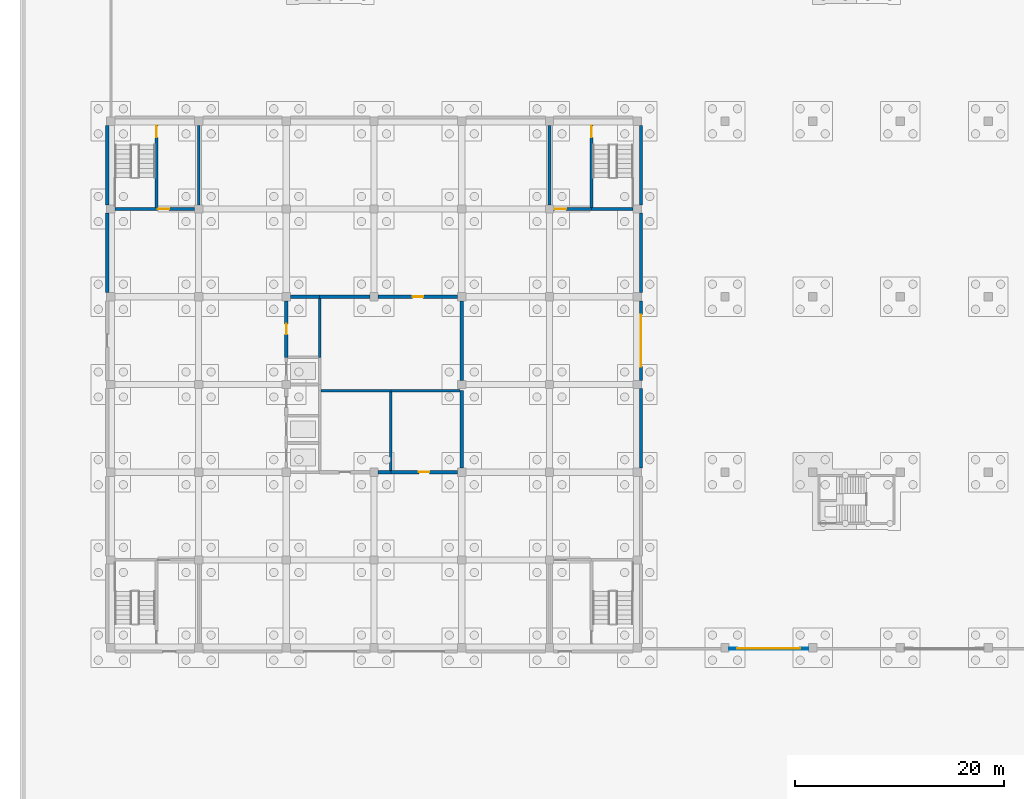
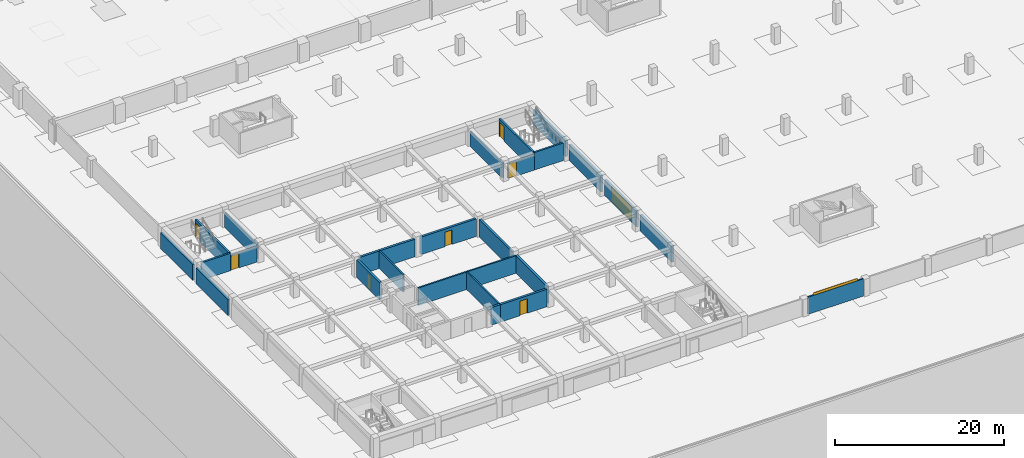
# One storey, part 35 of 67: 27 walls, 9 doors, 9 openings.
"""IFC4 building model written with IfcOpenShell, lengths in metres."""

from ifc_helpers import new_model, si_unit, direction, frame, frame_2d, origin, place, context, subcontext, project, spatial, rectangle, extrude, material, layer, layer_set, type_object, element, fill, save


model = new_model("IFC4")

# Units and contexts
model_context = context("Model", 3, precision=1e-05, world=origin(), true_north=direction((0.0, 1.0)))
body_context = subcontext(model_context, "Body", "Model", "MODEL_VIEW")
ifc_project = project(units=[si_unit("LENGTHUNIT", "METRE"), si_unit("AREAUNIT", "SQUARE_METRE"), si_unit("VOLUMEUNIT", "CUBIC_METRE"), si_unit("PLANEANGLEUNIT", "RADIAN"), si_unit("MASSUNIT", "GRAM", prefix="KILO")], contexts=[model_context])

# Site, building, storey
site_placement = place(None, origin())
site = spatial("IfcSite", under=ifc_project, at=site_placement, CompositionType="ELEMENT")
building_placement = place(site_placement, origin())
building = spatial("IfcBuilding", under=site, at=building_placement, Name="Rain Tree Exposition and Congress Centre", CompositionType="ELEMENT")
storey_placement = place(building_placement, frame((0.0, 0.0, -3.0)))
storey = spatial("IfcBuildingStorey", under=building, at=storey_placement, Name="B1", CompositionType="ELEMENT", Elevation=-3.0)

# Wall, opening, door
ifc_material_1 = material(Name="Precast concrete C40/50", Category="concrete")
ifc_layer_1 = layer(ifc_material_1, 0.199951171875)
ifc_layer_set_1 = layer_set([ifc_layer_1], Name="Precast concrete C40/50")
wall_type_1 = type_object("IfcWallType", Name="Louvred precast panel 200", PredefinedType="SOLIDWALL", material=ifc_layer_set_1)
wall_1_placement = place(storey_placement, frame((59.199951171875, -0.10009765625, 0.0), z_axis=(0.0, 0.0, 1.0), x_axis=(1.0, 0.0, 0.0)))
wall_1 = element("IfcWall", 1, at=wall_1_placement, inside=storey, type_object=wall_type_1, Name="Car park louvre panel 2", PredefinedType="SOLIDWALL", context=body_context, shape_type="SweptSolid", body=[
    extrude(rectangle(XDim=7.60009765625, YDim=0.199951171875, at=frame_2d((3.800048828125, 0.0))), origin(), (0.0, 0.0, 1.0), 2.5),
])
opening_1_placement = place(wall_1_placement, frame((0.800048828125, 0.0, 0.0)))
opening_1 = element("IfcOpeningElement", 2, at=opening_1_placement, cuts=wall_1, Name="Opening DS106", PredefinedType="OPENING", context=body_context, shape_type="SweptSolid", body=[
    extrude(rectangle(XDim=6.0, YDim=2.800048828125, at=frame_2d((3.0, 1.39990234375))), frame((0.0, 0.10009765625, 0.0), z_axis=(0.0, -1.0, 0.0), x_axis=(1.0, 0.0, 0.0)), (0.0, 0.0, 1.0), 0.199951171875),
])
ifc_material_2 = material(Name="Powder-coated steel", Category="steel")
door_type_1 = type_object("IfcDoorType", Name="Vehicle roller gate 6000x2800", OperationType="SLIDING_TO_LEFT", PredefinedType="GATE", material=ifc_material_2)
door_1_placement = place(opening_1_placement, origin())
door_1 = element("IfcDoor", 3, at=door_1_placement, inside=storey, type_object=door_type_1, Name="Vehicle gate 2", OperationType="SLIDING_TO_LEFT", OverallHeight=2.800048828125, OverallWidth=6.0, PredefinedType="GATE", context=body_context, shape_type="SweptSolid", body=[
    extrude(rectangle(XDim=6.0, YDim=2.800048828125, at=frame_2d((3.0, 1.39990234375))), frame((0.0, 0.02490234375, 0.0), z_axis=(0.0, -1.0, 0.0), x_axis=(1.0, 0.0, 0.0)), (0.0, 0.0, 1.0), 0.050048828125),
])
fill(opening_1, door_1)

# Wall
ifc_material_3 = material(Name="Concrete C40/50", Category="concrete")
ifc_layer_2 = layer(ifc_material_3, 0.300048828125)
ifc_layer_set_2 = layer_set([ifc_layer_2], Name="Concrete C40/50")
wall_type_2 = type_object("IfcWallType", Name="Wing core wall 300", PredefinedType="SHEAR", material=ifc_layer_set_2)
wall_2_placement = place(storey_placement, frame((25.60009765625, 16.800048828125, 0.0), z_axis=(0.0, 0.0, 1.0), x_axis=(1.0, 0.0, 0.0)))
element("IfcWall", 4, at=wall_2_placement, inside=storey, type_object=wall_type_2, Name="wing/wall/B1/007", PredefinedType="SHEAR", context=body_context, shape_type="SweptSolid", body=[
    extrude(rectangle(XDim=1.199951171875, YDim=0.300048828125, at=frame_2d((0.60009765625, 0.0))), origin(), (0.0, 0.0, 1.0), 2.5400390625),
])

# Wall, opening, door
wall_3_placement = place(storey_placement, frame((26.800048828125, 16.800048828125, 0.0), z_axis=(0.0, 0.0, 1.0), x_axis=(1.0, 0.0, 0.0)))
wall_3 = element("IfcWall", 5, at=wall_3_placement, inside=storey, type_object=wall_type_2, Name="wing/wall/B1/008", PredefinedType="SHEAR", context=body_context, shape_type="SweptSolid", body=[
    extrude(rectangle(XDim=6.39990234375, YDim=0.300048828125, at=frame_2d((3.199951171875, 0.0))), origin(), (0.0, 0.0, 1.0), 2.5400390625),
])
opening_2_placement = place(wall_3_placement, frame((2.699951171875, 0.0, 0.0)))
opening_2 = element("IfcOpeningElement", 6, at=opening_2_placement, cuts=wall_3, Name="Opening DW015", PredefinedType="OPENING", context=body_context, shape_type="SweptSolid", body=[
    extrude(rectangle(XDim=1.0, YDim=2.10009765625, at=frame_2d((0.5, 1.050048828125))), frame((0.0, 0.14990234375, 0.0), z_axis=(0.0, -1.0, 0.0), x_axis=(1.0, 0.0, 0.0)), (0.0, 0.0, 1.0), 0.300048828125),
])
ifc_material_4 = material(Name="Timber door leaf", Category="wood")
door_type_2 = type_object("IfcDoorType", Name="Wing door FD60 1000x2100", OperationType="NOTDEFINED", PredefinedType="DOOR", material=ifc_material_4)
door_2_placement = place(opening_2_placement, origin())
door_2 = element("IfcDoor", 7, at=door_2_placement, inside=storey, type_object=door_type_2, Name="Door DW015", OperationType="SINGLE_SWING_LEFT", OverallHeight=2.10009765625, OverallWidth=1.0, PredefinedType="DOOR", context=body_context, shape_type="SweptSolid", body=[
    extrude(rectangle(XDim=1.0, YDim=2.10009765625, at=frame_2d((0.5, 1.050048828125))), frame((0.0, 0.02490234375, 0.0), z_axis=(0.0, -1.0, 0.0), x_axis=(1.0, 0.0, 0.0)), (0.0, 0.0, 1.0), 0.050048828125),
])
fill(opening_2, door_2)

# Walls
wall_4_placement = place(storey_placement, frame((17.199951171875, 33.60009765625, 0.0), z_axis=(0.0, 0.0, 1.0), x_axis=(1.0, 0.0, 0.0)))
element("IfcWall", 8, at=wall_4_placement, inside=storey, type_object=wall_type_2, Name="wing/wall/B1/015", PredefinedType="SHEAR", context=body_context, shape_type="SweptSolid", body=[
    extrude(rectangle(XDim=2.800048828125, YDim=0.300048828125, at=frame_2d((1.39990234375, 0.0))), origin(), (0.0, 0.0, 1.0), 2.5400390625),
])
wall_5_placement = place(storey_placement, frame((20.0, 33.60009765625, 0.0), z_axis=(0.0, 0.0, 1.0), x_axis=(1.0, 0.0, 0.0)))
element("IfcWall", 9, at=wall_5_placement, inside=storey, type_object=wall_type_2, Name="wing/wall/B1/016", PredefinedType="SHEAR", context=body_context, shape_type="SweptSolid", body=[
    extrude(rectangle(XDim=4.800048828125, YDim=0.300048828125, at=frame_2d((2.39990234375, 0.0))), origin(), (0.0, 0.0, 1.0), 2.5400390625),
])

# Wall, opening, door
wall_6_placement = place(storey_placement, frame((25.60009765625, 33.60009765625, 0.0), z_axis=(0.0, 0.0, 1.0), x_axis=(1.0, 0.0, 0.0)))
wall_6 = element("IfcWall", 10, at=wall_6_placement, inside=storey, type_object=wall_type_2, Name="wing/wall/B1/017", PredefinedType="SHEAR", context=body_context, shape_type="SweptSolid", body=[
    extrude(rectangle(XDim=7.599853515625, YDim=0.300048828125, at=frame_2d((3.7998046875, 0.0))), origin(), (0.0, 0.0, 1.0), 2.5400390625),
])
opening_3_placement = place(wall_6_placement, frame((3.300048828125, 0.0, 0.0)))
opening_3 = element("IfcOpeningElement", 11, at=opening_3_placement, cuts=wall_6, Name="Opening DW016", PredefinedType="OPENING", context=body_context, shape_type="SweptSolid", body=[
    extrude(rectangle(XDim=1.0, YDim=2.10009765625, at=frame_2d((0.5, 1.050048828125))), frame((0.0, 0.14990234375, 0.0), z_axis=(0.0, -1.0, 0.0), x_axis=(1.0, 0.0, 0.0)), (0.0, 0.0, 1.0), 0.300048828125),
])
door_3_placement = place(opening_3_placement, origin())
door_3 = element("IfcDoor", 12, at=door_3_placement, inside=storey, type_object=door_type_2, Name="Door DW016", OperationType="SINGLE_SWING_LEFT", OverallHeight=2.10009765625, OverallWidth=1.0, PredefinedType="DOOR", context=body_context, shape_type="SweptSolid", body=[
    extrude(rectangle(XDim=1.0, YDim=2.10009765625, at=frame_2d((0.5, 1.050048828125))), frame((0.0, 0.02490234375, 0.0), z_axis=(0.0, -1.0, 0.0), x_axis=(1.0, 0.0, 0.0)), (0.0, 0.0, 1.0), 0.050048828125),
])
fill(opening_3, door_3)

wall_7_placement = place(storey_placement, frame((16.800048828125, 27.800048828125, 0.0), z_axis=(0.0, 0.0, 1.0), x_axis=(0.0, 1.0, 0.0)))
wall_7 = element("IfcWall", 13, at=wall_7_placement, inside=storey, type_object=wall_type_2, Name="wing/wall/B1/030", PredefinedType="SHEAR", context=body_context, shape_type="SweptSolid", body=[
    extrude(rectangle(XDim=5.39990234375, YDim=0.300048828125, at=frame_2d((2.699951171875, 0.0))), origin(), (0.0, 0.0, 1.0), 2.5400390625),
])
opening_4_placement = place(wall_7_placement, frame((2.199951171875, 0.0, 0.0)))
opening_4 = element("IfcOpeningElement", 14, at=opening_4_placement, cuts=wall_7, Name="Opening DW013", PredefinedType="OPENING", context=body_context, shape_type="SweptSolid", body=[
    extrude(rectangle(XDim=1.0, YDim=2.10009765625, at=frame_2d((0.5, 1.050048828125))), frame((0.0, 0.14990234375, 0.0), z_axis=(0.0, -1.0, 0.0), x_axis=(1.0, 0.0, 0.0)), (0.0, 0.0, 1.0), 0.300048828125),
])
ifc_material_5 = material(Name="Timber door leaf", Category="wood")
door_type_3 = type_object("IfcDoorType", Name="Wing riser access door FD60 1000x2100", OperationType="NOTDEFINED", PredefinedType="DOOR", material=ifc_material_5)
door_4_placement = place(opening_4_placement, origin())
door_4 = element("IfcDoor", 15, at=door_4_placement, inside=storey, type_object=door_type_3, Name="Riser access door DW013", OperationType="SINGLE_SWING_LEFT", OverallHeight=2.10009765625, OverallWidth=1.0, PredefinedType="DOOR", context=body_context, shape_type="SweptSolid", body=[
    extrude(rectangle(XDim=1.0, YDim=2.10009765625, at=frame_2d((0.5, 1.050048828125))), frame((0.0, 0.02490234375, 0.0), z_axis=(0.0, -1.0, 0.0), x_axis=(1.0, 0.0, 0.0)), (0.0, 0.0, 1.0), 0.050048828125),
])
fill(opening_4, door_4)

# Walls
wall_8_placement = place(storey_placement, frame((33.60009765625, 17.199951171875, 0.0), z_axis=(0.0, 0.0, 1.0), x_axis=(0.0, 1.0, 0.0)))
element("IfcWall", 16, at=wall_8_placement, inside=storey, type_object=wall_type_2, Name="wing/wall/B1/038", PredefinedType="SHEAR", context=body_context, shape_type="SweptSolid", body=[
    extrude(rectangle(XDim=7.400146484375, YDim=0.300048828125, at=frame_2d((3.7001953125, 0.0))), origin(), (0.0, 0.0, 1.0), 2.5400390625),
])
wall_9_placement = place(storey_placement, frame((33.60009765625, 25.60009765625, 0.0), z_axis=(0.0, 0.0, 1.0), x_axis=(0.0, 1.0, 0.0)))
element("IfcWall", 17, at=wall_9_placement, inside=storey, type_object=wall_type_2, Name="wing/wall/B1/039", PredefinedType="SHEAR", context=body_context, shape_type="SweptSolid", body=[
    extrude(rectangle(XDim=7.599853515625, YDim=0.300048828125, at=frame_2d((3.7998046875, 0.0))), origin(), (0.0, 0.0, 1.0), 2.5400390625),
])
ifc_material_6 = material(Name="Insulated cavity wall")
ifc_layer_3 = layer(ifc_material_6, 0.300048828125)
ifc_layer_set_3 = layer_set([ifc_layer_3], Name="Insulated cavity wall")
wall_type_3 = type_object("IfcWallType", Name="Wing external wall 300", PredefinedType="SOLIDWALL", material=ifc_layer_set_3)
for number, where, z_axis, x_axis, name in (
    (18, (-0.35009765625, 34.0, 0.0), (0.0, 0.0, 1.0), (0.0, 1.0, 0.0), "wing/facade/B1/W4"),
    (19, (-0.35009765625, 42.39990234375, 0.0), (0.0, 0.0, 1.0), (0.0, 1.0, 0.0), "wing/facade/B1/W5"),
    (20, (50.75, 17.199951171875, 0.0), (0.0, 0.0, 1.0), (0.0, 1.0, 0.0), "wing/facade/B1/E2"),
):
    element("IfcWall", number, at=place(storey_placement, frame(where, z_axis=z_axis, x_axis=x_axis)), inside=storey, type_object=wall_type_3, Name=name, PredefinedType="SOLIDWALL", context=body_context, shape_type="SweptSolid", body=[
        extrude(rectangle(XDim=7.60009765625, YDim=0.300048828125, at=frame_2d((3.800048828125, 0.0))), origin(), (0.0, 0.0, 1.0), 2.300048828125),
    ])

# Wall, opening, door
wall_10_placement = place(storey_placement, frame((50.75, 25.60009765625, 0.0), z_axis=(0.0, 0.0, 1.0), x_axis=(0.0, 1.0, 0.0)))
wall_10 = element("IfcWall", 21, at=wall_10_placement, inside=storey, type_object=wall_type_3, Name="wing/facade/B1/E3", PredefinedType="SOLIDWALL", context=body_context, shape_type="SweptSolid", body=[
    extrude(rectangle(XDim=7.599853515625, YDim=0.300048828125, at=frame_2d((3.7998046875, 0.0))), origin(), (0.0, 0.0, 1.0), 2.300048828125),
])
opening_5_placement = place(wall_10_placement, frame((1.300048828125, 0.0, 0.0)))
opening_5 = element("IfcOpeningElement", 22, at=opening_5_placement, cuts=wall_10, Name="Opening DW056", PredefinedType="OPENING", context=body_context, shape_type="SweptSolid", body=[
    extrude(rectangle(XDim=5.0, YDim=2.10009765625, at=frame_2d((2.5, 1.050048828125))), frame((0.0, 0.14990234375, 0.0), z_axis=(0.0, -1.0, 0.0), x_axis=(1.0, 0.0, 0.0)), (0.0, 0.0, 1.0), 0.300048828125),
])
ifc_material_7 = material(Name="Steel roller shutter", Category="steel")
door_type_4 = type_object("IfcDoorType", Name="Wing roller shutter 5000x2100", OperationType="ROLLINGUP", PredefinedType="DOOR", material=ifc_material_7)
door_5_placement = place(opening_5_placement, origin())
door_5 = element("IfcDoor", 23, at=door_5_placement, inside=storey, type_object=door_type_4, Name="Door DW056", OperationType="ROLLINGUP", OverallHeight=2.10009765625, OverallWidth=5.0, PredefinedType="DOOR", context=body_context, shape_type="SweptSolid", body=[
    extrude(rectangle(XDim=5.0, YDim=2.10009765625, at=frame_2d((2.5, 1.050048828125))), frame((0.0, 0.02490234375, 0.0), z_axis=(0.0, -1.0, 0.0), x_axis=(1.0, 0.0, 0.0)), (0.0, 0.0, 1.0), 0.050048828125),
])
fill(opening_5, door_5)

# Walls
for number, where, z_axis, x_axis, name in (
    (24, (50.75, 34.0, 0.0), (0.0, 0.0, 1.0), (0.0, 1.0, 0.0), "wing/facade/B1/E4"),
    (25, (50.75, 42.39990234375, 0.0), (0.0, 0.0, 1.0), (0.0, 1.0, 0.0), "wing/facade/B1/E5"),
):
    element("IfcWall", number, at=place(storey_placement, frame(where, z_axis=z_axis, x_axis=x_axis)), inside=storey, type_object=wall_type_3, Name=name, PredefinedType="SOLIDWALL", context=body_context, shape_type="SweptSolid", body=[
        extrude(rectangle(XDim=7.60009765625, YDim=0.300048828125, at=frame_2d((3.800048828125, 0.0))), origin(), (0.0, 0.0, 1.0), 2.300048828125),
    ])
ifc_material_8 = material(Name="Dense blockwork", Category="masonry")
ifc_layer_4 = layer(ifc_material_8, 0.199951171875)
ifc_layer_set_4 = layer_set([ifc_layer_4], Name="Dense blockwork")
wall_type_4 = type_object("IfcWallType", Name="Wing plant room wall 200", PredefinedType="SOLIDWALL", material=ifc_layer_set_4)
wall_11_placement = place(storey_placement, frame((20.10009765625, 24.60009765625, 0.0), z_axis=(0.0, 0.0, 1.0), x_axis=(1.0, 0.0, 0.0)))
element("IfcWall", 26, at=wall_11_placement, inside=storey, type_object=wall_type_4, Name="wing/wall/B1/011", PredefinedType="SOLIDWALL", context=body_context, shape_type="SweptSolid", body=[
    extrude(rectangle(XDim=6.699951171875, YDim=0.199951171875, at=frame_2d((3.35009765625, 0.0))), origin(), (0.0, 0.0, 1.0), 2.5400390625),
])
wall_12_placement = place(storey_placement, frame((26.800048828125, 24.60009765625, 0.0), z_axis=(0.0, 0.0, 1.0), x_axis=(1.0, 0.0, 0.0)))
element("IfcWall", 27, at=wall_12_placement, inside=storey, type_object=wall_type_4, Name="wing/wall/B1/012", PredefinedType="SOLIDWALL", context=body_context, shape_type="SweptSolid", body=[
    extrude(rectangle(XDim=6.64990234375, YDim=0.199951171875, at=frame_2d((3.324951171875, 0.0))), origin(), (0.0, 0.0, 1.0), 2.5400390625),
])
wall_13_placement = place(storey_placement, frame((20.0, 27.800048828125, 0.0), z_axis=(0.0, 0.0, 1.0), x_axis=(0.0, 1.0, 0.0)))
element("IfcWall", 28, at=wall_13_placement, inside=storey, type_object=wall_type_4, Name="wing/wall/B1/036", PredefinedType="SOLIDWALL", context=body_context, shape_type="SweptSolid", body=[
    extrude(rectangle(XDim=5.64990234375, YDim=0.199951171875, at=frame_2d((2.824951171875, 0.0))), origin(), (0.0, 0.0, 1.0), 2.5400390625),
])
wall_14_placement = place(storey_placement, frame((26.800048828125, 16.949951171875, 0.0), z_axis=(0.0, 0.0, 1.0), x_axis=(0.0, 1.0, 0.0)))
element("IfcWall", 29, at=wall_14_placement, inside=storey, type_object=wall_type_4, Name="wing/wall/B1/037", PredefinedType="SOLIDWALL", context=body_context, shape_type="SweptSolid", body=[
    extrude(rectangle(XDim=7.550048828125, YDim=0.199951171875, at=frame_2d((3.77490234375, 0.0))), origin(), (0.0, 0.0, 1.0), 2.5400390625),
])
ifc_material_9 = material(Name="Concrete C40/50", Category="concrete")
ifc_layer_5 = layer(ifc_material_9, 0.25)
ifc_layer_set_5 = layer_set([ifc_layer_5], Name="Concrete C40/50")
wall_type_5 = type_object("IfcWallType", Name="Wing stair wall 250", PredefinedType="SHEAR", material=ifc_layer_set_5)
wall_15_placement = place(storey_placement, frame((0.39990234375, 42.0, 0.0), z_axis=(0.0, 0.0, 1.0), x_axis=(1.0, 0.0, 0.0)))
element("IfcWall", 30, at=wall_15_placement, inside=storey, type_object=wall_type_5, Name="wing/wall/B1/018", PredefinedType="SHEAR", context=body_context, shape_type="SweptSolid", body=[
    extrude(rectangle(XDim=3.97509765625, YDim=0.25, at=frame_2d((1.987548828125, 0.0))), origin(), (0.0, 0.0, 1.0), 2.5400390625),
])

# Wall, opening, door
wall_16_placement = place(storey_placement, frame((4.375, 42.0, 0.0), z_axis=(0.0, 0.0, 1.0), x_axis=(1.0, 0.0, 0.0)))
wall_16 = element("IfcWall", 31, at=wall_16_placement, inside=storey, type_object=wall_type_5, Name="wing/wall/B1/019", PredefinedType="SHEAR", context=body_context, shape_type="SweptSolid", body=[
    extrude(rectangle(XDim=3.625, YDim=0.25, at=frame_2d((1.8125, 0.0))), origin(), (0.0, 0.0, 1.0), 2.139892578125),
])
opening_6_placement = place(wall_16_placement, frame((0.10009765625, 0.0, 0.0)))
opening_6 = element("IfcOpeningElement", 32, at=opening_6_placement, cuts=wall_16, Name="Opening DW006", PredefinedType="OPENING", context=body_context, shape_type="SweptSolid", body=[
    extrude(rectangle(XDim=1.10009765625, YDim=2.10009765625, at=frame_2d((0.550048828125, 1.050048828125))), frame((0.0, 0.125, 0.0), z_axis=(0.0, -1.0, 0.0), x_axis=(1.0, 0.0, 0.0)), (0.0, 0.0, 1.0), 0.25),
])
ifc_material_10 = material(Name="Timber door leaf", Category="wood")
door_type_5 = type_object("IfcDoorType", Name="Wing door FD60 1100x2100", OperationType="NOTDEFINED", PredefinedType="DOOR", material=ifc_material_10)
door_6_placement = place(opening_6_placement, origin())
door_6 = element("IfcDoor", 33, at=door_6_placement, inside=storey, type_object=door_type_5, Name="Door DW006", OperationType="SINGLE_SWING_LEFT", OverallHeight=2.10009765625, OverallWidth=1.10009765625, PredefinedType="DOOR", context=body_context, shape_type="SweptSolid", body=[
    extrude(rectangle(XDim=1.10009765625, YDim=2.10009765625, at=frame_2d((0.550048828125, 1.050048828125))), frame((0.0, 0.02490234375, 0.0), z_axis=(0.0, -1.0, 0.0), x_axis=(1.0, 0.0, 0.0)), (0.0, 0.0, 1.0), 0.050048828125),
])
fill(opening_6, door_6)

wall_17_placement = place(storey_placement, frame((42.39990234375, 42.0, 0.0), z_axis=(0.0, 0.0, 1.0), x_axis=(1.0, 0.0, 0.0)))
wall_17 = element("IfcWall", 34, at=wall_17_placement, inside=storey, type_object=wall_type_5, Name="wing/wall/B1/020", PredefinedType="SHEAR", context=body_context, shape_type="SweptSolid", body=[
    extrude(rectangle(XDim=3.625, YDim=0.25, at=frame_2d((1.8125, 0.0))), origin(), (0.0, 0.0, 1.0), 2.139892578125),
])
opening_7_placement = place(wall_17_placement, frame((0.10009765625, 0.0, 0.0)))
opening_7 = element("IfcOpeningElement", 35, at=opening_7_placement, cuts=wall_17, Name="Opening DW008", PredefinedType="OPENING", context=body_context, shape_type="SweptSolid", body=[
    extrude(rectangle(XDim=1.10009765625, YDim=2.10009765625, at=frame_2d((0.550048828125, 1.050048828125))), frame((0.0, 0.125, 0.0), z_axis=(0.0, -1.0, 0.0), x_axis=(1.0, 0.0, 0.0)), (0.0, 0.0, 1.0), 0.25),
])
door_7_placement = place(opening_7_placement, origin())
door_7 = element("IfcDoor", 36, at=door_7_placement, inside=storey, type_object=door_type_5, Name="Door DW008", OperationType="SINGLE_SWING_LEFT", OverallHeight=2.10009765625, OverallWidth=1.10009765625, PredefinedType="DOOR", context=body_context, shape_type="SweptSolid", body=[
    extrude(rectangle(XDim=1.10009765625, YDim=2.10009765625, at=frame_2d((0.550048828125, 1.050048828125))), frame((0.0, 0.02490234375, 0.0), z_axis=(0.0, -1.0, 0.0), x_axis=(1.0, 0.0, 0.0)), (0.0, 0.0, 1.0), 0.050048828125),
])
fill(opening_7, door_7)

# Wall
wall_18_placement = place(storey_placement, frame((46.02490234375, 42.0, 0.0), z_axis=(0.0, 0.0, 1.0), x_axis=(1.0, 0.0, 0.0)))
element("IfcWall", 37, at=wall_18_placement, inside=storey, type_object=wall_type_5, Name="wing/wall/B1/021", PredefinedType="SHEAR", context=body_context, shape_type="SweptSolid", body=[
    extrude(rectangle(XDim=3.97509765625, YDim=0.25, at=frame_2d((1.987548828125, 0.0))), origin(), (0.0, 0.0, 1.0), 2.5400390625),
])

# Wall, opening, door
wall_19_placement = place(storey_placement, frame((4.375, 42.125, 0.0), z_axis=(0.0, 0.0, 1.0), x_axis=(0.0, 1.0, 0.0)))
wall_19 = element("IfcWall", 38, at=wall_19_placement, inside=storey, type_object=wall_type_5, Name="wing/wall/B1/023", PredefinedType="SHEAR", context=body_context, shape_type="SweptSolid", body=[
    extrude(rectangle(XDim=7.925048828125, YDim=0.25, at=frame_2d((3.96240234375, 0.0))), origin(), (0.0, 0.0, 1.0), 2.5400390625),
])
opening_8_placement = place(wall_19_placement, frame((6.72509765625, 0.0, 0.0)))
opening_8 = element("IfcOpeningElement", 39, at=opening_8_placement, cuts=wall_19, Name="Opening DW005", PredefinedType="OPENING", context=body_context, shape_type="SweptSolid", body=[
    extrude(rectangle(XDim=1.10009765625, YDim=2.10009765625, at=frame_2d((0.550048828125, 1.050048828125))), frame((0.0, 0.125, 0.0), z_axis=(0.0, -1.0, 0.0), x_axis=(1.0, 0.0, 0.0)), (0.0, 0.0, 1.0), 0.25),
])
door_8_placement = place(opening_8_placement, origin())
door_8 = element("IfcDoor", 40, at=door_8_placement, inside=storey, type_object=door_type_5, Name="Door DW005", OperationType="SINGLE_SWING_RIGHT", OverallHeight=2.10009765625, OverallWidth=1.10009765625, PredefinedType="DOOR", context=body_context, shape_type="SweptSolid", body=[
    extrude(rectangle(XDim=1.10009765625, YDim=2.10009765625, at=frame_2d((0.550048828125, 1.050048828125))), frame((0.0, 0.02490234375, 0.0), z_axis=(0.0, -1.0, 0.0), x_axis=(1.0, 0.0, 0.0)), (0.0, 0.0, 1.0), 0.050048828125),
])
fill(opening_8, door_8)

# Walls
for number, where, z_axis, x_axis, name in (
    (41, (8.39990234375, 42.39990234375, 0.0), (0.0, 0.0, 1.0), (0.0, 1.0, 0.0), "wing/wall/B1/025"),
    (42, (42.0, 42.39990234375, 0.0), (0.0, 0.0, 1.0), (0.0, 1.0, 0.0), "wing/wall/B1/041"),
):
    element("IfcWall", number, at=place(storey_placement, frame(where, z_axis=z_axis, x_axis=x_axis)), inside=storey, type_object=wall_type_5, Name=name, PredefinedType="SHEAR", context=body_context, shape_type="SweptSolid", body=[
        extrude(rectangle(XDim=7.60009765625, YDim=0.25, at=frame_2d((3.800048828125, 0.0))), origin(), (0.0, 0.0, 1.0), 2.139892578125),
    ])

# Wall, opening, door
wall_20_placement = place(storey_placement, frame((46.02490234375, 42.125, 0.0), z_axis=(0.0, 0.0, 1.0), x_axis=(0.0, 1.0, 0.0)))
wall_20 = element("IfcWall", 43, at=wall_20_placement, inside=storey, type_object=wall_type_5, Name="wing/wall/B1/043", PredefinedType="SHEAR", context=body_context, shape_type="SweptSolid", body=[
    extrude(rectangle(XDim=7.925048828125, YDim=0.25, at=frame_2d((3.96240234375, 0.0))), origin(), (0.0, 0.0, 1.0), 2.5400390625),
])
opening_9_placement = place(wall_20_placement, frame((6.72509765625, 0.0, 0.0)))
opening_9 = element("IfcOpeningElement", 44, at=opening_9_placement, cuts=wall_20, Name="Opening DW007", PredefinedType="OPENING", context=body_context, shape_type="SweptSolid", body=[
    extrude(rectangle(XDim=1.10009765625, YDim=2.10009765625, at=frame_2d((0.550048828125, 1.050048828125))), frame((0.0, 0.125, 0.0), z_axis=(0.0, -1.0, 0.0), x_axis=(1.0, 0.0, 0.0)), (0.0, 0.0, 1.0), 0.25),
])
door_9_placement = place(opening_9_placement, origin())
door_9 = element("IfcDoor", 45, at=door_9_placement, inside=storey, type_object=door_type_5, Name="Door DW007", OperationType="SINGLE_SWING_RIGHT", OverallHeight=2.10009765625, OverallWidth=1.10009765625, PredefinedType="DOOR", context=body_context, shape_type="SweptSolid", body=[
    extrude(rectangle(XDim=1.10009765625, YDim=2.10009765625, at=frame_2d((0.550048828125, 1.050048828125))), frame((0.0, 0.02490234375, 0.0), z_axis=(0.0, -1.0, 0.0), x_axis=(1.0, 0.0, 0.0)), (0.0, 0.0, 1.0), 0.050048828125),
])
fill(opening_9, door_9)

save(model, "model.ifc")
